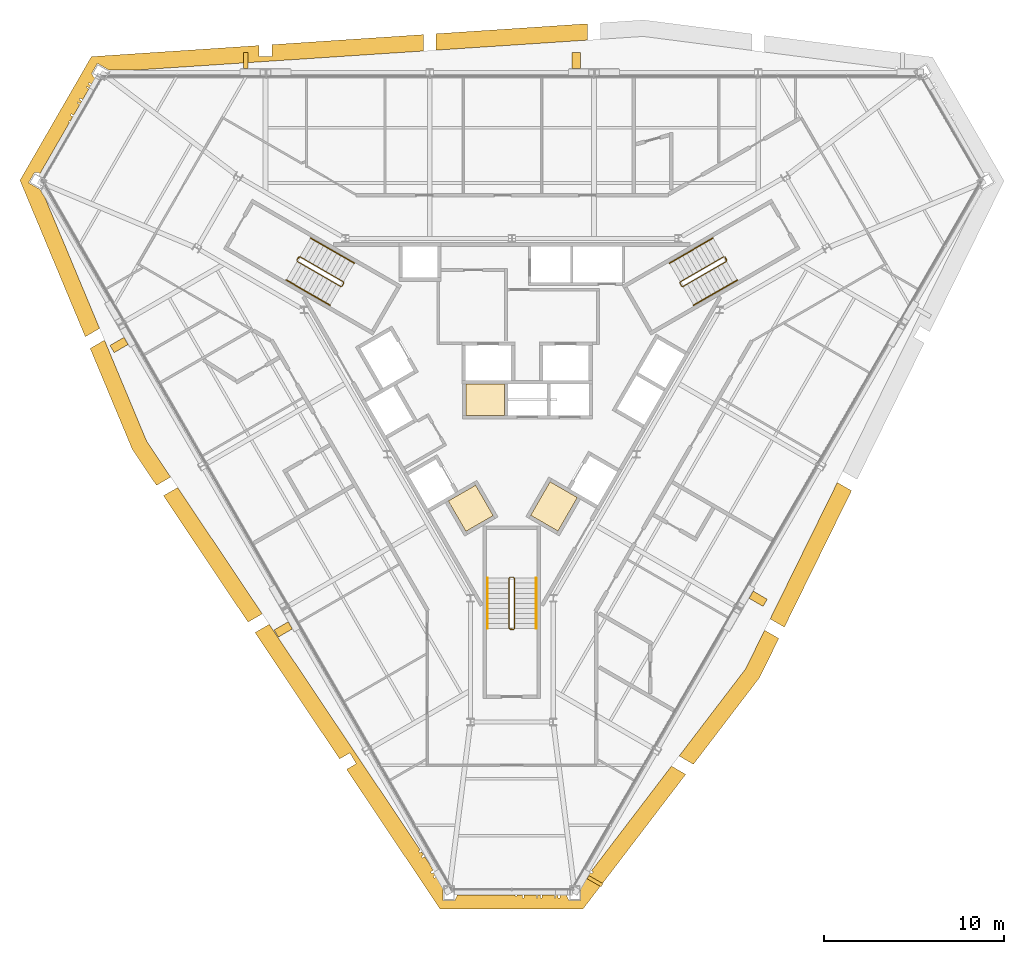
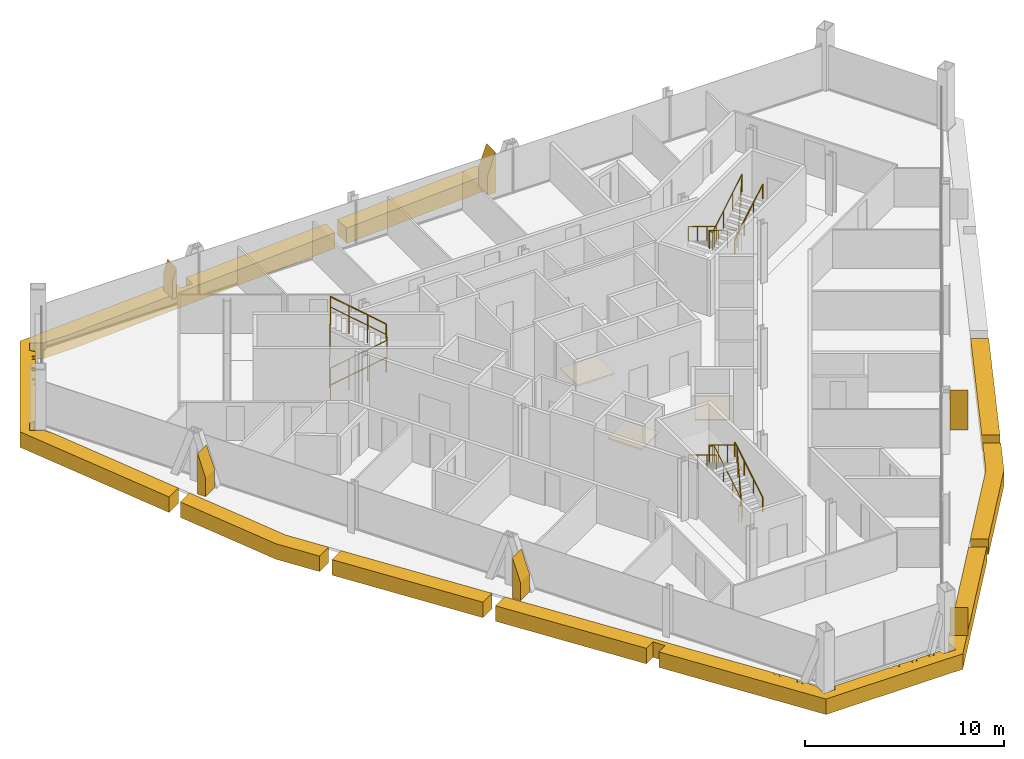
# One storey, part 14 of 15: 16 coverings, 9 railings.
"""IFC4 building model written with IfcOpenShell, lengths in metres."""

from ifc_helpers import new_model, si_unit, direction, frame, origin, origin_2d, place, context, subcontext, project, spatial, polyline, circle, outline, extrude, material, layer, layer_set, type_object, element, save


model = new_model("IFC4")

# Units and contexts
model_context = context("Model", 3, precision=1e-05, world=origin(), true_north=direction((0.0, 1.0)))
body_context = subcontext(model_context, "Body", "Model", "MODEL_VIEW")
ifc_project = project(units=[si_unit("LENGTHUNIT", "METRE"), si_unit("AREAUNIT", "SQUARE_METRE"), si_unit("VOLUMEUNIT", "CUBIC_METRE"), si_unit("PLANEANGLEUNIT", "RADIAN"), si_unit("MASSUNIT", "GRAM", prefix="KILO")], contexts=[model_context])

# Site, building, storey
site_placement = place(None, origin())
site = spatial("IfcSite", under=ifc_project, at=site_placement, CompositionType="ELEMENT")
building_placement = place(site_placement, origin())
building = spatial("IfcBuilding", under=site, at=building_placement, Name="Verrane Prism Tower", CompositionType="ELEMENT")
storey_placement = place(building_placement, frame((0.0, 0.0, 254.5)))
storey = spatial("IfcBuildingStorey", under=building, at=storey_placement, Name="L64", CompositionType="ELEMENT", Elevation=254.5)

# Coverings
ifc_material_1 = material(Name="Concrete C40/50", Category="concrete")
ifc_layer_1 = layer(ifc_material_1, 0.10009765625)
ifc_layer_set_1 = layer_set([ifc_layer_1], Name="Lift pit floor 100 concrete C40/50")
covering_type_1 = type_object("IfcCoveringType", Name="Lift pit floor 100 concrete C40/50", PredefinedType="FLOORING", material=ifc_layer_set_1)
covering_1_placement = place(storey_placement, frame((0.0, 0.0, 2.0)))
element("IfcCovering", 1, at=covering_1_placement, inside=storey, type_object=covering_type_1, Name="Bank C lift 1 pit floor", PredefinedType="FLOORING", context=body_context, shape_type="SweptSolid", body=[
    extrude(outline(polyline([(-1.039794921875, -7.4189453125), (-2.555419921875, -8.2939453125), (-3.530517578125, -6.605224609375), (-2.014892578125, -5.730224609375), (-1.039794921875, -7.4189453125)])), origin(), (0.0, 0.0, 1.0), 0.10009765625),
])
covering_2_placement = place(storey_placement, frame((0.0, 0.0, 2.0)))
element("IfcCovering", 2, at=covering_2_placement, inside=storey, type_object=covering_type_1, Name="Bank C lift 2 pit floor", PredefinedType="FLOORING", context=body_context, shape_type="SweptSolid", body=[
    extrude(outline(polyline([(-2.554931640625, -1.85009765625), (-2.554931640625, -0.10009765625), (-0.405029296875, -0.10009765625), (-0.405029296875, -1.85009765625), (-2.554931640625, -1.85009765625)])), origin(), (0.0, 0.0, 1.0), 0.10009765625),
])
covering_3_placement = place(storey_placement, frame((0.0, 0.0, 2.0)))
element("IfcCovering", 3, at=covering_3_placement, inside=storey, type_object=covering_type_1, Name="Bank C lift 3 pit floor", PredefinedType="FLOORING", context=body_context, shape_type="SweptSolid", body=[
    extrude(outline(polyline([(2.124755859375, -5.53955078125), (3.640380859375, -6.41455078125), (2.5654296875, -8.276611328125), (1.0498046875, -7.401611328125), (2.124755859375, -5.53955078125)])), origin(), (0.0, 0.0, 1.0), 0.10009765625),
])

# Railings
ifc_material_2 = material(Name="Steel A36 rail and posts, no infill", Category="steel")
railing_type_1 = type_object("IfcRailingType", Name="Stair guard 1100 steel rail and posts", PredefinedType="GUARDRAIL", material=ifc_material_2)
railing_1_placement = place(storey_placement, frame((11.78955078125, 6.97998046875, 0.168212890625)))
element("IfcRailing", 4, at=railing_1_placement, inside=storey, type_object=railing_type_1, Name="Stair 1 guard", PredefinedType="GUARDRAIL", context=body_context, shape_type="SweptSolid", body=[
    extrude(circle(Radius=0.02392578125, at=origin_2d()), frame((0.0, 0.0, 1.076171875), z_axis=(-0.742366697286, -0.42866220388, 0.514917859203), x_axis=(0.500049511043, -0.865996816683, 0.0)), (0.0, 0.0, 1.0), 3.266357421875),
    extrude(circle(Radius=0.02392578125, at=origin_2d()), frame((-2.4248046875, -1.400146484375, 2.7578125), z_axis=(-0.259601060869, -0.965715946433, 0.0), x_axis=(0.965715946433, -0.259601060869, 0.0)), (0.0, 0.0, 1.0), 0.070556640625),
    extrude(circle(Radius=0.02392578125, at=origin_2d()), frame((-2.443115234375, -1.46826171875, 2.7578125), z_axis=(0.499158860599, -0.866510491504, 0.0), x_axis=(0.866510491504, 0.499158860599, 0.0)), (0.0, 0.0, 1.0), 0.199951171875),
    extrude(circle(Radius=0.02392578125, at=origin_2d()), frame((-2.34326171875, -1.6416015625, 2.7578125), z_axis=(0.375047803403, -0.100459233054, 0.92154603122), x_axis=(0.258736085224, 0.965948051503, 0.0)), (0.0, 0.0, 1.0), 0.182373046875),
    extrude(circle(Radius=0.02392578125, at=origin_2d()), frame((-2.27490234375, -1.659912109375, 2.92578125), z_axis=(0.742366697286, 0.42866220388, 0.514917859203), x_axis=(-0.500049511043, 0.865996816683, 0.0)), (0.0, 0.0, 1.0), 3.266357421875),
    extrude(circle(Radius=0.02392578125, at=origin_2d()), frame((0.14990234375, -0.259765625, 4.60791015625), z_axis=(-0.021986835041, 0.065104730107, -0.997636182785), x_axis=(-0.947430582667, -0.3199613899, 0.0)), (0.0, 0.0, 1.0), 3.708740234375),
    extrude(circle(Radius=0.02392578125, at=origin_2d()), frame((0.068359375, -0.018310546875, 0.90771484375), z_axis=(0.499158860599, -0.866510491504, 0.0), x_axis=(0.866510491504, 0.499158860599, 0.0)), (0.0, 0.0, 1.0), 0.199951171875),
    extrude(circle(Radius=0.02099609375, at=origin_2d()), origin(), (0.0, 0.0, 1.0), 1.052001953125),
    extrude(circle(Radius=0.02099609375, at=origin_2d()), frame((-0.808349609375, -0.466796875, 0.560546875)), (0.0, 0.0, 1.0), 1.052001953125),
    extrude(circle(Radius=0.02099609375, at=origin_2d()), frame((-1.616455078125, -0.933349609375, 1.121337890625)), (0.0, 0.0, 1.0), 1.052001953125),
    extrude(circle(Radius=0.02099609375, at=origin_2d()), frame((-2.4248046875, -1.400146484375, 1.681884765625)), (0.0, 0.0, 1.0), 1.052001953125),
    extrude(circle(Radius=0.02099609375, at=origin_2d()), frame((-2.443115234375, -1.46826171875, 1.681884765625)), (0.0, 0.0, 1.0), 1.052001953125),
    extrude(circle(Radius=0.02099609375, at=origin_2d()), frame((-2.34326171875, -1.6416015625, 1.681884765625)), (0.0, 0.0, 1.0), 1.052001953125),
    extrude(circle(Radius=0.02099609375, at=origin_2d()), frame((-2.27490234375, -1.659912109375, 1.849853515625)), (0.0, 0.0, 1.0), 1.052001953125),
    extrude(circle(Radius=0.02099609375, at=origin_2d()), frame((-1.466552734375, -1.193115234375, 2.410400390625)), (0.0, 0.0, 1.0), 1.052001953125),
    extrude(circle(Radius=0.02099609375, at=origin_2d()), frame((-0.658447265625, -0.7265625, 2.97119140625)), (0.0, 0.0, 1.0), 1.052001953125),
    extrude(circle(Radius=0.02099609375, at=origin_2d()), frame((0.14990234375, -0.259765625, 3.53173828125)), (0.0, 0.0, 1.0), 1.052001953125),
    extrude(circle(Radius=0.02099609375, at=origin_2d()), frame((0.12939453125, -0.199462890625, 2.606689453125)), (0.0, 0.0, 1.0), 1.052001953125),
    extrude(circle(Radius=0.02099609375, at=origin_2d()), frame((0.109130859375, -0.13916015625, 1.681640625)), (0.0, 0.0, 1.0), 1.052001953125),
    extrude(circle(Radius=0.02099609375, at=origin_2d()), frame((0.0888671875, -0.07861328125, 0.7568359375)), (0.0, 0.0, 1.0), 1.052001953125),
    extrude(circle(Radius=0.02099609375, at=origin_2d()), frame((0.068359375, -0.018310546875, -0.168212890625)), (0.0, 0.0, 1.0), 1.052001953125),
    extrude(circle(Radius=0.02099609375, at=origin_2d()), frame((0.168212890625, -0.191650390625, -0.168212890625)), (0.0, 0.0, 1.0), 1.052001953125),
])
railing_2_placement = place(storey_placement, frame((-11.939453125, 6.72021484375, 0.168212890625)))
element("IfcRailing", 5, at=railing_2_placement, inside=storey, type_object=railing_type_1, Name="Stair 2 guard", PredefinedType="GUARDRAIL", context=body_context, shape_type="SweptSolid", body=[
    extrude(circle(Radius=0.02392578125, at=origin_2d()), frame((0.0, 0.0, 1.076171875), z_axis=(0.742366697286, -0.42866220388, 0.514917859203), x_axis=(0.500049511043, 0.865996816683, 0.0)), (0.0, 0.0, 1.0), 3.266357421875),
    extrude(circle(Radius=0.02392578125, at=origin_2d()), frame((2.4248046875, -1.400146484375, 2.7578125), z_axis=(0.965948051503, 0.258736085224, 0.0), x_axis=(-0.258736085224, 0.965948051503, 0.0)), (0.0, 0.0, 1.0), 0.07080078125),
    extrude(circle(Radius=0.02392578125, at=origin_2d()), frame((2.4931640625, -1.3818359375, 2.7578125), z_axis=(0.499158860599, 0.866510491504, 0.0), x_axis=(-0.866510491504, 0.499158860599, 0.0)), (0.0, 0.0, 1.0), 0.199951171875),
    extrude(circle(Radius=0.02392578125, at=origin_2d()), frame((2.593017578125, -1.20849609375, 2.7578125), z_axis=(-0.10050964758, 0.373895888998, 0.922008500467), x_axis=(-0.965715946433, -0.259601060869, 0.0)), (0.0, 0.0, 1.0), 0.18212890625),
    extrude(circle(Radius=0.02392578125, at=origin_2d()), frame((2.57470703125, -1.140380859375, 2.92578125), z_axis=(-0.742366697286, 0.42866220388, 0.514917859203), x_axis=(-0.500049511043, -0.865996816683, 0.0)), (0.0, 0.0, 1.0), 3.266357421875),
    extrude(circle(Radius=0.02392578125, at=origin_2d()), frame((0.14990234375, 0.259765625, 4.60791015625), z_axis=(-0.04535595117, -0.051675503147, -0.99763343973), x_axis=(0.751567565678, -0.659656118156, 0.0)), (0.0, 0.0, 1.0), 3.708740234375),
    extrude(circle(Radius=0.02392578125, at=origin_2d()), frame((-0.018310546875, 0.068115234375, 0.90771484375), z_axis=(0.499158860599, 0.866510491504, 0.0), x_axis=(-0.866510491504, 0.499158860599, 0.0)), (0.0, 0.0, 1.0), 0.199951171875),
    extrude(circle(Radius=0.02099609375, at=origin_2d()), origin(), (0.0, 0.0, 1.0), 1.052001953125),
    extrude(circle(Radius=0.02099609375, at=origin_2d()), frame((0.808349609375, -0.466796875, 0.560546875)), (0.0, 0.0, 1.0), 1.052001953125),
    extrude(circle(Radius=0.02099609375, at=origin_2d()), frame((1.616455078125, -0.933349609375, 1.121337890625)), (0.0, 0.0, 1.0), 1.052001953125),
    extrude(circle(Radius=0.02099609375, at=origin_2d()), frame((2.4248046875, -1.400146484375, 1.681884765625)), (0.0, 0.0, 1.0), 1.052001953125),
    extrude(circle(Radius=0.02099609375, at=origin_2d()), frame((2.4931640625, -1.3818359375, 1.681884765625)), (0.0, 0.0, 1.0), 1.052001953125),
    extrude(circle(Radius=0.02099609375, at=origin_2d()), frame((2.593017578125, -1.20849609375, 1.681884765625)), (0.0, 0.0, 1.0), 1.052001953125),
    extrude(circle(Radius=0.02099609375, at=origin_2d()), frame((2.57470703125, -1.140380859375, 1.849853515625)), (0.0, 0.0, 1.0), 1.052001953125),
    extrude(circle(Radius=0.02099609375, at=origin_2d()), frame((1.766357421875, -0.673583984375, 2.410400390625)), (0.0, 0.0, 1.0), 1.052001953125),
    extrude(circle(Radius=0.02099609375, at=origin_2d()), frame((0.958251953125, -0.20703125, 2.97119140625)), (0.0, 0.0, 1.0), 1.052001953125),
    extrude(circle(Radius=0.02099609375, at=origin_2d()), frame((0.14990234375, 0.259765625, 3.53173828125)), (0.0, 0.0, 1.0), 1.052001953125),
    extrude(circle(Radius=0.02099609375, at=origin_2d()), frame((0.10791015625, 0.2119140625, 2.606689453125)), (0.0, 0.0, 1.0), 1.052001953125),
    extrude(circle(Radius=0.02099609375, at=origin_2d()), frame((0.06591796875, 0.1640625, 1.681640625)), (0.0, 0.0, 1.0), 1.052001953125),
    extrude(circle(Radius=0.02099609375, at=origin_2d()), frame((0.023681640625, 0.115966796875, 0.7568359375)), (0.0, 0.0, 1.0), 1.052001953125),
    extrude(circle(Radius=0.02099609375, at=origin_2d()), frame((-0.018310546875, 0.068115234375, -0.168212890625)), (0.0, 0.0, 1.0), 1.052001953125),
    extrude(circle(Radius=0.02099609375, at=origin_2d()), frame((0.08154296875, 0.241455078125, -0.168212890625)), (0.0, 0.0, 1.0), 1.052001953125),
])
railing_3_placement = place(storey_placement, frame((0.14990234375, -13.699951171875, 0.168212890625)))
element("IfcRailing", 6, at=railing_3_placement, inside=storey, type_object=railing_type_1, Name="Stair 3 guard", PredefinedType="GUARDRAIL", context=body_context, shape_type="SweptSolid", body=[
    extrude(circle(Radius=0.02392578125, at=origin_2d()), frame((0.0, 0.0, 1.076171875), z_axis=(0.0, 0.857242210791, 0.514913383045), x_axis=(-1.0, 0.0, 0.0)), (0.0, 0.0, 1.0), 3.266357421875),
    extrude(circle(Radius=0.02392578125, at=origin_2d()), frame((0.0, 2.800048828125, 2.7578125), z_axis=(-0.707106781187, 0.707106781187, 0.0), x_axis=(-0.707106781187, -0.707106781187, 0.0)), (0.0, 0.0, 1.0), 0.0703125),
    extrude(circle(Radius=0.02392578125, at=origin_2d()), frame((-0.0498046875, 2.849853515625, 2.7578125), z_axis=(-1.0, 0.0, 0.0), x_axis=(0.0, -1.0, 0.0)), (0.0, 0.0, 1.0), 0.2001953125),
    extrude(circle(Radius=0.02392578125, at=origin_2d()), frame((-0.25, 2.849853515625, 2.7578125), z_axis=(-0.273443704961, -0.273443704961, 0.922202299083), x_axis=(0.707106781187, -0.707106781187, 0.0)), (0.0, 0.0, 1.0), 0.18212890625),
    extrude(circle(Radius=0.02392578125, at=origin_2d()), frame((-0.2998046875, 2.800048828125, 2.92578125), z_axis=(0.0, -0.857242210791, 0.514913383045), x_axis=(1.0, 0.0, 0.0)), (0.0, 0.0, 1.0), 3.266357421875),
    extrude(circle(Radius=0.02392578125, at=origin_2d()), frame((-0.2998046875, 0.0, 4.60791015625), z_axis=(0.067408604812, -0.013494886706, -0.997634185476), x_axis=(0.196300278283, 0.98054382908, 0.0)), (0.0, 0.0, 1.0), 3.708740234375),
    extrude(circle(Radius=0.02392578125, at=origin_2d()), frame((-0.0498046875, -0.050048828125, 0.90771484375), z_axis=(-1.0, 0.0, 0.0), x_axis=(0.0, -1.0, 0.0)), (0.0, 0.0, 1.0), 0.2001953125),
    extrude(circle(Radius=0.02099609375, at=origin_2d()), origin(), (0.0, 0.0, 1.0), 1.052001953125),
    extrude(circle(Radius=0.02099609375, at=origin_2d()), frame((0.0, 0.933349609375, 0.560546875)), (0.0, 0.0, 1.0), 1.052001953125),
    extrude(circle(Radius=0.02099609375, at=origin_2d()), frame((0.0, 1.86669921875, 1.121337890625)), (0.0, 0.0, 1.0), 1.052001953125),
    extrude(circle(Radius=0.02099609375, at=origin_2d()), frame((0.0, 2.800048828125, 1.681884765625)), (0.0, 0.0, 1.0), 1.052001953125),
    extrude(circle(Radius=0.02099609375, at=origin_2d()), frame((-0.0498046875, 2.849853515625, 1.681884765625)), (0.0, 0.0, 1.0), 1.052001953125),
    extrude(circle(Radius=0.02099609375, at=origin_2d()), frame((-0.25, 2.849853515625, 1.681884765625)), (0.0, 0.0, 1.0), 1.052001953125),
    extrude(circle(Radius=0.02099609375, at=origin_2d()), frame((-0.2998046875, 2.800048828125, 1.849853515625)), (0.0, 0.0, 1.0), 1.052001953125),
    extrude(circle(Radius=0.02099609375, at=origin_2d()), frame((-0.2998046875, 1.86669921875, 2.410400390625)), (0.0, 0.0, 1.0), 1.052001953125),
    extrude(circle(Radius=0.02099609375, at=origin_2d()), frame((-0.2998046875, 0.933349609375, 2.97119140625)), (0.0, 0.0, 1.0), 1.052001953125),
    extrude(circle(Radius=0.02099609375, at=origin_2d()), frame((-0.2998046875, 0.0, 3.53173828125)), (0.0, 0.0, 1.0), 1.052001953125),
    extrude(circle(Radius=0.02099609375, at=origin_2d()), frame((-0.2373046875, -0.012451171875, 2.606689453125)), (0.0, 0.0, 1.0), 1.052001953125),
    extrude(circle(Radius=0.02099609375, at=origin_2d()), frame((-0.1748046875, -0.02490234375, 1.681640625)), (0.0, 0.0, 1.0), 1.052001953125),
    extrude(circle(Radius=0.02099609375, at=origin_2d()), frame((-0.1123046875, -0.03759765625, 0.7568359375)), (0.0, 0.0, 1.0), 1.052001953125),
    extrude(circle(Radius=0.02099609375, at=origin_2d()), frame((-0.0498046875, -0.050048828125, -0.168212890625)), (0.0, 0.0, 1.0), 1.052001953125),
    extrude(circle(Radius=0.02099609375, at=origin_2d()), frame((-0.25, -0.050048828125, -0.168212890625)), (0.0, 0.0, 1.0), 1.052001953125),
])
ifc_material_3 = material(Name="Steel A36 tube", Category="steel")
railing_type_2 = type_object("IfcRailingType", Name="Stair handrail 900 steel tube", PredefinedType="HANDRAIL", material=ifc_material_3)
railing_4_placement = place(storey_placement, frame((11.189453125, 8.01904296875, 0.168212890625)))
element("IfcRailing", 7, at=railing_4_placement, inside=storey, type_object=railing_type_2, Name="Stair 1 handrail", PredefinedType="HANDRAIL", context=body_context, shape_type="SweptSolid", body=[
    extrude(circle(Radius=0.02392578125, at=origin_2d()), frame((0.0, 0.0, 0.8759765625), z_axis=(-0.742390482028, -0.42860119049, 0.514934356695), x_axis=(0.49998411664, -0.866034573852, 0.0)), (0.0, 0.0, 1.0), 3.26611328125),
    extrude(circle(Radius=0.02099609375, at=origin_2d()), origin(), (0.0, 0.0, 1.0), 0.851806640625),
    extrude(circle(Radius=0.02099609375, at=origin_2d()), frame((-0.808349609375, -0.466552734375, 0.560546875)), (0.0, 0.0, 1.0), 0.851806640625),
    extrude(circle(Radius=0.02099609375, at=origin_2d()), frame((-1.616455078125, -0.933349609375, 1.121337890625)), (0.0, 0.0, 1.0), 0.851806640625),
    extrude(circle(Radius=0.02099609375, at=origin_2d()), frame((-2.4248046875, -1.39990234375, 1.681884765625)), (0.0, 0.0, 1.0), 0.851806640625),
])
railing_5_placement = place(storey_placement, frame((10.11474609375, 4.28076171875, 2.01806640625)))
element("IfcRailing", 8, at=railing_5_placement, inside=storey, type_object=railing_type_2, Name="Stair 1 handrail", PredefinedType="HANDRAIL", context=body_context, shape_type="SweptSolid", body=[
    extrude(circle(Radius=0.02392578125, at=origin_2d()), frame((0.0, 0.0, 0.8759765625), z_axis=(0.742366697286, 0.42866220388, 0.514917859203), x_axis=(-0.500049511043, 0.865996816683, 0.0)), (0.0, 0.0, 1.0), 3.266357421875),
    extrude(circle(Radius=0.02099609375, at=origin_2d()), origin(), (0.0, 0.0, 1.0), 0.851806640625),
    extrude(circle(Radius=0.02099609375, at=origin_2d()), frame((0.808349609375, 0.466796875, 0.560546875)), (0.0, 0.0, 1.0), 0.851806640625),
    extrude(circle(Radius=0.02099609375, at=origin_2d()), frame((1.616455078125, 0.933349609375, 1.121337890625)), (0.0, 0.0, 1.0), 0.851806640625),
    extrude(circle(Radius=0.02099609375, at=origin_2d()), frame((2.4248046875, 1.400146484375, 1.681884765625)), (0.0, 0.0, 1.0), 0.851806640625),
])
railing_6_placement = place(storey_placement, frame((-12.53955078125, 5.680908203125, 0.168212890625)))
element("IfcRailing", 9, at=railing_6_placement, inside=storey, type_object=railing_type_2, Name="Stair 2 handrail", PredefinedType="HANDRAIL", context=body_context, shape_type="SweptSolid", body=[
    extrude(circle(Radius=0.02392578125, at=origin_2d()), frame((0.0, 0.0, 0.8759765625), z_axis=(0.742366697286, -0.42866220388, 0.514917859203), x_axis=(0.500049511043, 0.865996816683, 0.0)), (0.0, 0.0, 1.0), 3.266357421875),
    extrude(circle(Radius=0.02099609375, at=origin_2d()), origin(), (0.0, 0.0, 1.0), 0.851806640625),
    extrude(circle(Radius=0.02099609375, at=origin_2d()), frame((0.808349609375, -0.466796875, 0.560546875)), (0.0, 0.0, 1.0), 0.851806640625),
    extrude(circle(Radius=0.02099609375, at=origin_2d()), frame((1.616455078125, -0.933349609375, 1.121337890625)), (0.0, 0.0, 1.0), 0.851806640625),
    extrude(circle(Radius=0.02099609375, at=origin_2d()), frame((2.4248046875, -1.400146484375, 1.681884765625)), (0.0, 0.0, 1.0), 0.851806640625),
])
railing_7_placement = place(storey_placement, frame((-8.7646484375, 6.619140625, 2.01806640625)))
element("IfcRailing", 10, at=railing_7_placement, inside=storey, type_object=railing_type_2, Name="Stair 2 handrail", PredefinedType="HANDRAIL", context=body_context, shape_type="SweptSolid", body=[
    extrude(circle(Radius=0.02392578125, at=origin_2d()), frame((0.0, 0.0, 0.8759765625), z_axis=(-0.742390482028, 0.42860119049, 0.514934356695), x_axis=(-0.49998411664, -0.866034573852, 0.0)), (0.0, 0.0, 1.0), 3.26611328125),
    extrude(circle(Radius=0.02099609375, at=origin_2d()), origin(), (0.0, 0.0, 1.0), 0.851806640625),
    extrude(circle(Radius=0.02099609375, at=origin_2d()), frame((-0.808349609375, 0.466552734375, 0.560546875)), (0.0, 0.0, 1.0), 0.851806640625),
    extrude(circle(Radius=0.02099609375, at=origin_2d()), frame((-1.616455078125, 0.933349609375, 1.121337890625)), (0.0, 0.0, 1.0), 0.851806640625),
    extrude(circle(Radius=0.02099609375, at=origin_2d()), frame((-2.4248046875, 1.39990234375, 1.681884765625)), (0.0, 0.0, 1.0), 0.851806640625),
])
railing_8_placement = place(storey_placement, frame((1.35009765625, -13.699951171875, 0.168212890625)))
element("IfcRailing", 11, at=railing_8_placement, inside=storey, type_object=railing_type_2, Name="Stair 3 handrail", PredefinedType="HANDRAIL", context=body_context, shape_type="SweptSolid", body=[
    extrude(circle(Radius=0.02392578125, at=origin_2d()), frame((0.0, 0.0, 0.8759765625), z_axis=(0.0, 0.857242210791, 0.514913383045), x_axis=(-1.0, 0.0, 0.0)), (0.0, 0.0, 1.0), 3.266357421875),
    extrude(circle(Radius=0.02099609375, at=origin_2d()), origin(), (0.0, 0.0, 1.0), 0.851806640625),
    extrude(circle(Radius=0.02099609375, at=origin_2d()), frame((0.0, 0.933349609375, 0.560546875)), (0.0, 0.0, 1.0), 0.851806640625),
    extrude(circle(Radius=0.02099609375, at=origin_2d()), frame((0.0, 1.86669921875, 1.121337890625)), (0.0, 0.0, 1.0), 0.851806640625),
    extrude(circle(Radius=0.02099609375, at=origin_2d()), frame((0.0, 2.800048828125, 1.681884765625)), (0.0, 0.0, 1.0), 0.851806640625),
])
railing_9_placement = place(storey_placement, frame((-1.35009765625, -10.89990234375, 2.01806640625)))
element("IfcRailing", 12, at=railing_9_placement, inside=storey, type_object=railing_type_2, Name="Stair 3 handrail", PredefinedType="HANDRAIL", context=body_context, shape_type="SweptSolid", body=[
    extrude(circle(Radius=0.02392578125, at=origin_2d()), frame((0.0, 0.0, 0.8759765625), z_axis=(0.0, -0.857242210791, 0.514913383045), x_axis=(1.0, 0.0, 0.0)), (0.0, 0.0, 1.0), 3.266357421875),
    extrude(circle(Radius=0.02099609375, at=origin_2d()), origin(), (0.0, 0.0, 1.0), 0.851806640625),
    extrude(circle(Radius=0.02099609375, at=origin_2d()), frame((0.0, -0.933349609375, 0.560546875)), (0.0, 0.0, 1.0), 0.851806640625),
    extrude(circle(Radius=0.02099609375, at=origin_2d()), frame((0.0, -1.86669921875, 1.121337890625)), (0.0, 0.0, 1.0), 0.851806640625),
    extrude(circle(Radius=0.02099609375, at=origin_2d()), frame((0.0, -2.800048828125, 1.681884765625)), (0.0, 0.0, 1.0), 0.851806640625),
])

# Coverings
ifc_material_4 = material(Name="Warm limestone cladding", Category="masonry")
ifc_layer_2 = layer(ifc_material_4, 0.89990234375)
ifc_layer_set_2 = layer_set([ifc_layer_2], Name="Stone brace fin 900")
covering_type_2 = type_object("IfcCoveringType", Name="Stone brace fin 900", PredefinedType="CLADDING", material=ifc_layer_set_2)
covering_4_placement = place(storey_placement, frame((3.35205078125, 17.88330078125, 0.0), z_axis=(0.0, 0.0, 1.0), x_axis=(1.0, 0.0, 0.0)))
element("IfcCovering", 13, at=covering_4_placement, inside=storey, type_object=covering_type_2, Name="Stone brace fin N3 L64", PredefinedType="CLADDING", context=body_context, shape_type="SweptSolid", body=[
    extrude(outline(polyline([(0.0, 0.0), (0.46142578125, 0.0), (0.46142578125, 2.47802734375), (0.0, 1.15234375), (0.0, 0.0)])), frame((0.0, 0.449951171875, 0.0), z_axis=(0.0, -1.0, 0.0), x_axis=(1.0, 0.0, 0.0)), (0.0, 0.0, 1.0), 0.89990234375),
])
covering_5_placement = place(storey_placement, frame((-14.91796875, 17.88330078125, 0.0), z_axis=(0.0, 0.0, 1.0), x_axis=(1.0, 0.0, 0.0)))
element("IfcCovering", 14, at=covering_5_placement, inside=storey, type_object=covering_type_2, Name="Stone brace fin N5 L64", PredefinedType="CLADDING", context=body_context, shape_type="SweptSolid", body=[
    extrude(outline(polyline([(0.0, 0.0), (0.239990234375, 0.0), (0.239990234375, 1.84130859375), (0.0, 1.152099609375), (0.0, 0.0)])), frame((0.0, 0.449951171875, 0.0), z_axis=(0.0, -1.0, 0.0), x_axis=(1.0, 0.0, 0.0)), (0.0, 0.0, 1.0), 0.89990234375),
])
covering_6_placement = place(storey_placement, frame((-21.72802734375, 1.869140625, 0.0), z_axis=(0.0, 0.0, 1.0), x_axis=(-0.500391795928, 0.865799082101, 0.0)))
element("IfcCovering", 15, at=covering_6_placement, inside=storey, type_object=covering_type_2, Name="Stone brace fin SW2 L64", PredefinedType="CLADDING", context=body_context, shape_type="SweptSolid", body=[
    extrude(outline(polyline([(0.0, 0.0), (0.462890625, 0.0), (0.462890625, 2.47412109375), (0.0, 1.1484375), (0.0, 0.0)])), frame((0.0, 0.449951171875, 0.0), z_axis=(0.0, -1.0, 0.0), x_axis=(1.0, 0.0, 0.0)), (0.0, 0.0, 1.0), 0.89990234375),
])
covering_7_placement = place(storey_placement, frame((-12.596923828125, -13.9501953125, 0.0), z_axis=(0.0, 0.0, 1.0), x_axis=(-0.49932554436, 0.866414450912, 0.0)))
element("IfcCovering", 16, at=covering_7_placement, inside=storey, type_object=covering_type_2, Name="Stone brace fin SW4 L64", PredefinedType="CLADDING", context=body_context, shape_type="SweptSolid", body=[
    extrude(outline(polyline([(0.0, 0.0), (0.461669921875, 0.0), (0.461669921875, 2.4775390625), (0.0, 1.15185546875), (0.0, 0.0)])), frame((0.0, 0.449951171875, 0.0), z_axis=(0.0, -1.0, 0.0), x_axis=(1.0, 0.0, 0.0)), (0.0, 0.0, 1.0), 0.89990234375),
])
covering_8_placement = place(storey_placement, frame((4.675537109375, -27.660888671875, 0.0), z_axis=(0.0, 0.0, 1.0), x_axis=(-0.497817394245, -0.867281869975, 0.0)))
element("IfcCovering", 17, at=covering_8_placement, inside=storey, type_object=covering_type_2, Name="Stone brace fin SE1 L64", PredefinedType="CLADDING", context=body_context, shape_type="SweptSolid", body=[
    extrude(outline(polyline([(0.0, 0.0), (0.203369140625, 0.0), (0.203369140625, 1.733154296875), (0.0, 1.14990234375), (0.0, 0.0)])), frame((0.0, 0.449951171875, 0.0), z_axis=(0.0, -1.0, 0.0), x_axis=(1.0, 0.0, 0.0)), (0.0, 0.0, 1.0), 0.89990234375),
])
covering_9_placement = place(storey_placement, frame((13.814208984375, -11.843505859375, 0.0), z_axis=(0.0, 0.0, 1.0), x_axis=(-0.501639146354, -0.86507697163, 0.0)))
element("IfcCovering", 18, at=covering_9_placement, inside=storey, type_object=covering_type_2, Name="Stone brace fin SE3 L64", PredefinedType="CLADDING", context=body_context, shape_type="SweptSolid", body=[
    extrude(outline(polyline([(0.0, 0.0), (0.462646484375, 0.0), (0.462646484375, 2.474853515625), (0.0, 1.14892578125), (0.0, 0.0)])), frame((0.0, 0.449951171875, 0.0), z_axis=(0.0, -1.0, 0.0), x_axis=(1.0, 0.0, 0.0)), (0.0, 0.0, 1.0), 0.89990234375),
])
ifc_material_5 = material(Name="Warm limestone cladding", Category="masonry")
ifc_layer_3 = layer(ifc_material_5, 0.449951171875)
ifc_layer_set_3 = layer_set([ifc_layer_3], Name="Stone spandrel band 450")
covering_type_3 = type_object("IfcCoveringType", Name="Stone spandrel band 450", PredefinedType="CLADDING", material=ifc_layer_set_3)
covering_10_placement = place(storey_placement, frame((0.0, 0.0, -0.949951171875)))
element("IfcCovering", 19, at=covering_10_placement, inside=storey, type_object=covering_type_3, Name="Stone spandrel band L64 part 2", PredefinedType="CLADDING", context=body_context, shape_type="SweptSolid", body=[
    extrude(outline(polyline([(-22.927490234375, 2.989013671875), (-25.93798828125, 10.19921875), (-26.239013671875, 10.720703125), (-26.87744140625, 11.089111328125), (-26.54736328125, 11.660888671875), (-26.5283203125, 11.64990234375), (-26.3095703125, 11.64990234375), (-26.237060546875, 11.60791015625), (-24.6005859375, 14.4423828125), (-24.656494140625, 14.430908203125), (-24.67138671875, 14.502685546875), (-24.551513671875, 14.52734375), (-24.414794921875, 14.76416015625), (-24.559814453125, 14.84765625), (-24.513671875, 14.927978515625), (-24.368408203125, 14.844482421875), (-24.023681640625, 15.44189453125), (-24.1689453125, 15.525634765625), (-24.139892578125, 15.576171875), (-23.994384765625, 15.492431640625), (-23.914306640625, 15.631103515625), (-24.059814453125, 15.715087890625), (-24.013671875, 15.795166015625), (-23.867919921875, 15.711181640625), (-23.523193359375, 16.30859375), (-23.6689453125, 16.392822265625), (-23.639892578125, 16.443359375), (-23.493896484375, 16.359130859375), (-23.4150390625, 16.495849609375), (-23.56103515625, 16.579833984375), (-23.51611328125, 16.65771484375), (-23.3701171875, 16.573486328125), (-23.172607421875, 16.915771484375), (-23.24755859375, 16.958984375), (-23.3583984375, 17.148193359375), (-23.37744140625, 17.1591796875), (-23.04736328125, 17.730712890625), (-22.410888671875, 17.36328125), (-20.827392578125, 17.36328125), (-4.91748046875, 18.4189453125), (-4.91748046875, 19.330810546875), (-13.352294921875, 18.77099609375), (-13.352294921875, 18.10986328125), (-14.05224609375, 18.10986328125), (-14.05224609375, 18.724609375), (-23.382080078125, 18.105712890625), (-27.353271484375, 11.2275390625), (-23.721923828125, 2.530517578125), (-22.927490234375, 2.989013671875)])), origin(), (0.0, 0.0, 1.0), 0.949951171875),
])
covering_11_placement = place(storey_placement, frame((0.0, 0.0, -0.949951171875)))
element("IfcCovering", 20, at=covering_11_placement, inside=storey, type_object=covering_type_3, Name="Stone spandrel band L64 part 3", PredefinedType="CLADDING", context=body_context, shape_type="SweptSolid", body=[
    extrude(outline(polyline([(3.953369140625, -29.302490234375), (9.669677734375, -21.80908203125), (8.875244140625, -21.350341796875), (4.427001953125, -27.181396484375), (4.51513671875, -27.232421875), (4.45703125, -27.333251953125), (4.355712890625, -27.274658203125), (4.248046875, -27.416015625), (4.369140625, -27.4853515625), (4.314208984375, -27.581298828125), (4.180419921875, -27.50439453125), (4.13623046875, -27.5625), (3.830078125, -28.093017578125), (3.830078125, -28.820068359375), (3.169921875, -28.820068359375), (3.169921875, -28.7978515625), (3.06201171875, -28.60888671875), (3.06201171875, -28.52587890625), (2.66748046875, -28.52587890625), (2.66748046875, -28.68994140625), (2.57763671875, -28.68994140625), (2.57763671875, -28.52587890625), (2.419921875, -28.52587890625), (2.419921875, -28.68994140625), (2.36181640625, -28.68994140625), (2.36181640625, -28.52587890625), (1.672607421875, -28.52587890625), (1.672607421875, -28.68994140625), (1.580078125, -28.68994140625), (1.580078125, -28.52587890625), (1.419921875, -28.52587890625), (1.419921875, -28.68994140625), (1.36181640625, -28.68994140625), (1.36181640625, -28.52587890625), (0.672607421875, -28.52587890625), (0.672607421875, -28.68994140625), (0.580078125, -28.68994140625), (0.580078125, -28.52587890625), (0.304443359375, -28.52587890625), (0.225830078125, -28.61474609375), (0.1708984375, -28.566162109375), (0.20654296875, -28.52587890625), (-3.06201171875, -28.52587890625), (-3.06201171875, -28.60888671875), (-3.169921875, -28.7978515625), (-3.169921875, -28.820068359375), (-3.830078125, -28.820068359375), (-3.830078125, -28.093017578125), (-4.17236328125, -27.499755859375), (-4.314208984375, -27.581298828125), (-4.369140625, -27.4853515625), (-4.2275390625, -27.404296875), (-4.31591796875, -27.25146484375), (-4.45703125, -27.333251953125), (-4.51513671875, -27.232421875), (-4.373779296875, -27.15087890625), (-4.623291015625, -26.718505859375), (-4.8466796875, -26.38525390625), (-4.965087890625, -26.45361328125), (-5.02099609375, -26.35693359375), (-4.908935546875, -26.292236328125), (-5.02001953125, -26.126220703125), (-5.125244140625, -26.173828125), (-5.175537109375, -26.06298828125), (-5.088623046875, -26.023681640625), (-13.492431640625, -13.468017578125), (-14.2822265625, -13.924072265625), (-9.580078125, -20.948974609375), (-9.003662109375, -20.6162109375), (-8.65380859375, -21.222412109375), (-9.189697265625, -21.531982421875), (-3.98876953125, -29.302490234375), (3.953369140625, -29.302490234375)])), origin(), (0.0, 0.0, 1.0), 0.949951171875),
])
covering_12_placement = place(storey_placement, frame((0.0, 0.0, -0.949951171875)))
element("IfcCovering", 21, at=covering_12_placement, inside=storey, type_object=covering_type_3, Name="Stone spandrel band L64 part 4", PredefinedType="CLADDING", context=body_context, shape_type="SweptSolid", body=[
    extrude(outline(polyline([(-19.7646484375, -5.73291015625), (-18.97509765625, -5.277099609375), (-20.3076171875, -3.2861328125), (-22.65576171875, 2.337646484375), (-23.4501953125, 1.879150390625), (-21.113037109375, -3.718505859375), (-19.7646484375, -5.73291015625)])), origin(), (0.0, 0.0, 1.0), 0.949951171875),
])
covering_13_placement = place(storey_placement, frame((0.0, 0.0, -0.949951171875)))
element("IfcCovering", 22, at=covering_13_placement, inside=storey, type_object=covering_type_3, Name="Stone spandrel band L64 part 5", PredefinedType="CLADDING", context=body_context, shape_type="SweptSolid", body=[
    extrude(outline(polyline([(-14.67236328125, -13.341064453125), (-13.8828125, -12.885009765625), (-18.584716796875, -5.860107421875), (-19.37451171875, -6.31591796875), (-14.67236328125, -13.341064453125)])), origin(), (0.0, 0.0, 1.0), 0.949951171875),
])
covering_14_placement = place(storey_placement, frame((0.0, 0.0, -0.949951171875)))
element("IfcCovering", 23, at=covering_14_placement, inside=storey, type_object=covering_type_3, Name="Stone spandrel band L64 part 6", PredefinedType="CLADDING", context=body_context, shape_type="SweptSolid", body=[
    extrude(outline(polyline([(14.84716796875, -14.250244140625), (14.0576171875, -13.794189453125), (12.999755859375, -15.94384765625), (9.30322265625, -20.789306640625), (10.09765625, -21.247802734375), (13.77685546875, -16.425048828125), (14.84716796875, -14.250244140625)])), origin(), (0.0, 0.0, 1.0), 0.949951171875),
])
covering_15_placement = place(storey_placement, frame((0.0, 0.0, -0.949951171875)))
element("IfcCovering", 24, at=covering_15_placement, inside=storey, type_object=covering_type_3, Name="Stone spandrel band L64 part 7", PredefinedType="CLADDING", context=body_context, shape_type="SweptSolid", body=[
    extrude(outline(polyline([(18.10009765625, -5.580322265625), (14.367431640625, -13.164794921875), (15.156982421875, -13.620849609375), (18.889892578125, -6.0361328125), (18.10009765625, -5.580322265625)])), origin(), (0.0, 0.0, 1.0), 0.949951171875),
])
covering_16_placement = place(storey_placement, frame((0.0, 0.0, -0.949951171875)))
element("IfcCovering", 25, at=covering_16_placement, inside=storey, type_object=covering_type_3, Name="Stone spandrel band L64 part 9", PredefinedType="CLADDING", context=body_context, shape_type="SweptSolid", body=[
    extrude(outline(polyline([(-4.21728515625, 18.46533203125), (4.21728515625, 19.02490234375), (4.21728515625, 19.936767578125), (-4.21728515625, 19.377197265625), (-4.21728515625, 18.46533203125)])), origin(), (0.0, 0.0, 1.0), 0.949951171875),
])

save(model, "model.ifc")
